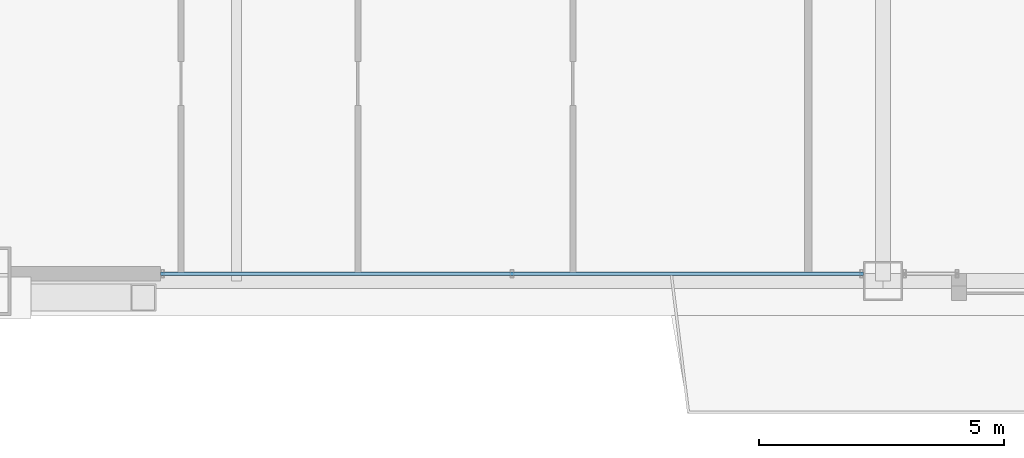
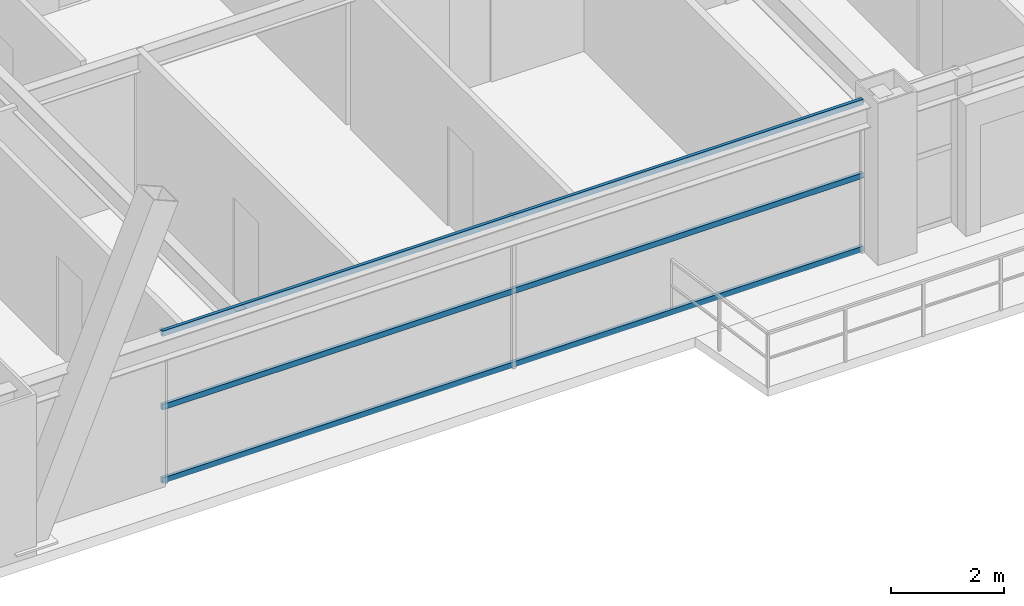
# One storey, part 7 of 45: 3 members, 1 element without a shape of its own.
"""IFC4 building model written with IfcOpenShell, lengths in metres."""

from ifc_helpers import new_model, si_unit, direction, frame, origin, origin_2d, place, context, subcontext, project, spatial, hollow_rectangle, extrude, source, transform, mapped, material, layer, layer_set, material_profile, profile_set, type_object, element, aggregate, save


model = new_model("IFC4")

# Units and contexts
model_context = context("Model", 3, precision=1e-05, world=origin(), true_north=direction((0.0, 1.0)))
body_context = subcontext(model_context, "Body", "Model", "MODEL_VIEW")
ifc_project = project(units=[si_unit("LENGTHUNIT", "METRE"), si_unit("AREAUNIT", "SQUARE_METRE"), si_unit("VOLUMEUNIT", "CUBIC_METRE"), si_unit("PLANEANGLEUNIT", "RADIAN"), si_unit("MASSUNIT", "GRAM", prefix="KILO"), si_unit("THERMODYNAMICTEMPERATUREUNIT", "KELVIN"), si_unit("POWERUNIT", "WATT")], contexts=[model_context])

# Site, building, storey
site_placement = place(None, origin())
site = spatial("IfcSite", under=ifc_project, at=site_placement, CompositionType="ELEMENT")
building_placement = place(site_placement, origin())
building = spatial("IfcBuilding", under=site, at=building_placement, Name="Yuzanri Waterfront Tower", CompositionType="ELEMENT")
storey_placement = place(building_placement, frame((0.0, 0.0, 212.5)))
storey = spatial("IfcBuildingStorey", under=building, at=storey_placement, Name="L56", CompositionType="ELEMENT", Elevation=212.5)

# Curtain wall, members
ifc_material_1 = material(Name="Anodized Architectural Bronze", Category="metal")
ifc_layer = layer(ifc_material_1, 0.159912109375)
ifc_layer_set = layer_set([ifc_layer], Name="Anodized Architectural Bronze")
curtain_wall_type = type_object("IfcCurtainWallType", Name="Anodized Bronze Mid-Rise Residential Acoustic Unitized Curtain Wall 7200", PredefinedType="NOTDEFINED", material=ifc_layer_set)
curtain_wall_placement = place(storey_placement, origin())
curtain_wall = element("IfcCurtainWall", 1, at=curtain_wall_placement, inside=storey, type_object=curtain_wall_type, Name="L56 Curtain Wall CW-L56-SL", PredefinedType="NOTDEFINED")
ifc_material_2 = material(Name="Anodized Architectural Bronze", Category="metal")
ifc_material_profile = material_profile(ifc_material_2, hollow_rectangle(XDim=0.06494140625, YDim=0.1201171875, WallThickness=0.00341796875, at=origin_2d()), Name="CWT 65x120")
ifc_profile_set = profile_set([ifc_material_profile], Name="Anodized Architectural Bronze")
member_type = type_object("IfcMemberType", Name="Anodized Bronze Secondary Curtain-Wall Transom 65x120", PredefinedType="USERDEFINED", material=ifc_profile_set)
shared_shape = source(origin(), body_context, "Body", "SweptSolid", [
    extrude(hollow_rectangle(XDim=0.06494140625, YDim=0.1201171875, WallThickness=0.00341796875, at=origin_2d()), origin(), (0.0, 0.0, 1.0), 14.35009765625),
])
member_1_placement = place(storey_placement, frame((22.25, 3.85009765625, 0.050048828125), z_axis=(1.0, 0.0, 0.0), x_axis=(0.0, 1.0, 0.0)))
member_1 = element("IfcMember", 2, at=member_1_placement, type_object=member_type, Name="CW-L56-SL Transom 1", ObjectType="TRANSOM", PredefinedType="USERDEFINED", context=body_context, shape_type="MappedRepresentation", body=[
    mapped(shared_shape, transform((0.0, 0.0, 0.0), scale=1.0)),
])
member_2_placement = place(storey_placement, frame((22.25, 3.85009765625, 1.639892578125), z_axis=(1.0, 0.0, 0.0), x_axis=(0.0, 1.0, 0.0)))
member_2 = element("IfcMember", 3, at=member_2_placement, type_object=member_type, Name="CW-L56-SL Transom 2", ObjectType="TRANSOM", PredefinedType="USERDEFINED", context=body_context, shape_type="MappedRepresentation", body=[
    mapped(shared_shape, transform((0.0, 0.0, 0.0), scale=1.0)),
])
member_3_placement = place(storey_placement, frame((22.25, 3.85009765625, 3.22998046875), z_axis=(1.0, 0.0, 0.0), x_axis=(0.0, 1.0, 0.0)))
member_3 = element("IfcMember", 4, at=member_3_placement, type_object=member_type, Name="CW-L56-SL Transom 3", ObjectType="TRANSOM", PredefinedType="USERDEFINED", context=body_context, shape_type="MappedRepresentation", body=[
    mapped(shared_shape, transform((0.0, 0.0, 0.0), scale=1.0)),
])
aggregate(curtain_wall, [member_1, member_2, member_3])

save(model, "model.ifc")
